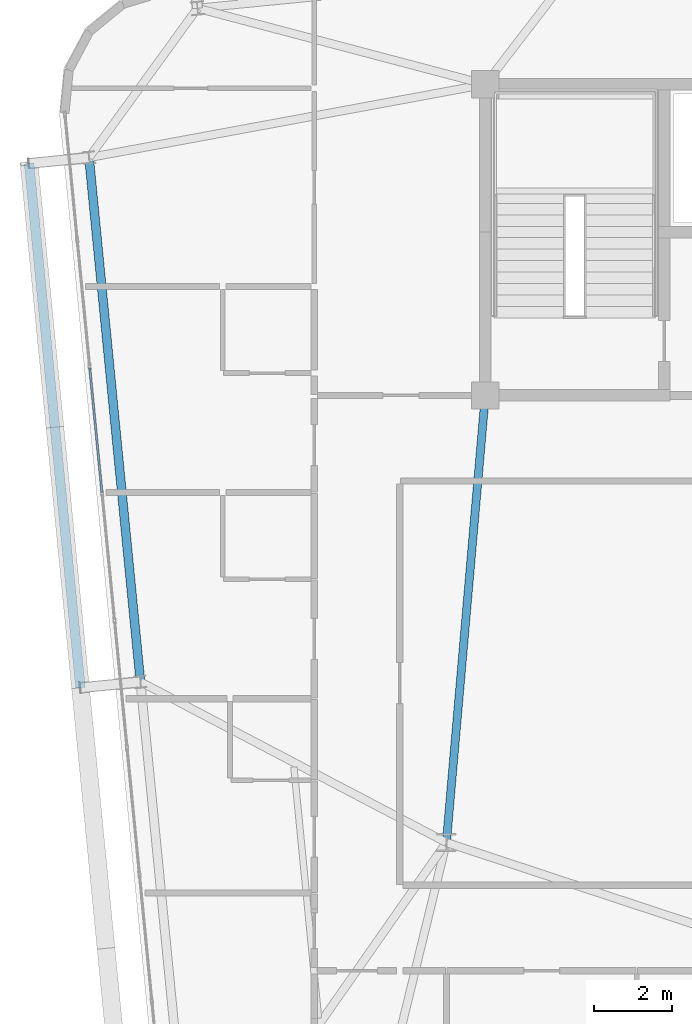
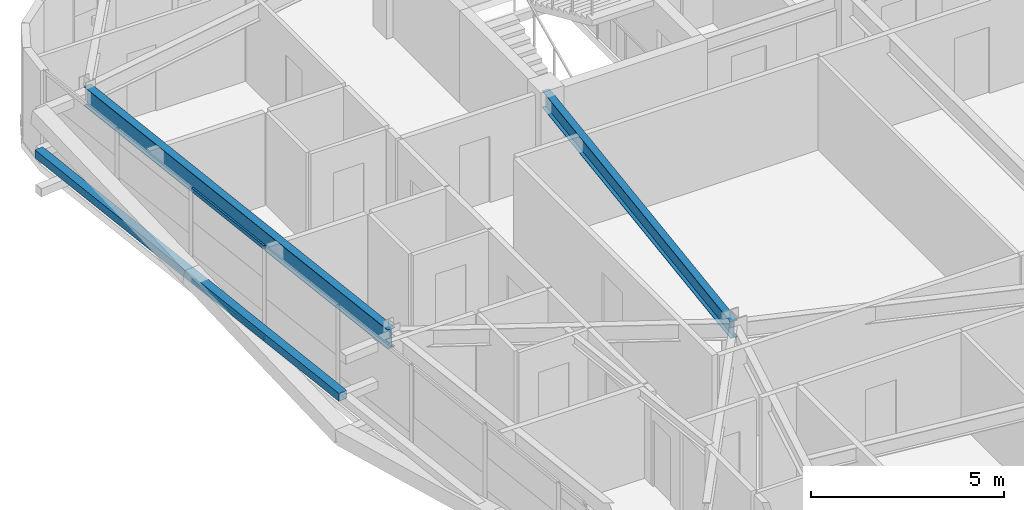
# One storey, part 14 of 53: 3 members, 2 beams, 1 element without a shape of its own.
"""IFC4 building model written with IfcOpenShell, lengths in metres."""

from ifc_helpers import new_model, si_unit, direction, frame, origin, origin_2d, place, context, subcontext, project, spatial, hollow_rectangle, i_section, extrude, source, transform, mapped, material, layer, layer_set, material_profile, profile_set, type_object, element, aggregate, save


model = new_model("IFC4")

# Units and contexts
model_context = context("Model", 3, precision=1e-05, world=origin(), true_north=direction((0.0, 1.0)))
body_context = subcontext(model_context, "Body", "Model", "MODEL_VIEW")
ifc_project = project(units=[si_unit("LENGTHUNIT", "METRE"), si_unit("AREAUNIT", "SQUARE_METRE"), si_unit("VOLUMEUNIT", "CUBIC_METRE"), si_unit("PLANEANGLEUNIT", "RADIAN"), si_unit("MASSUNIT", "GRAM", prefix="KILO")], contexts=[model_context])

# Site, building, storey
site_placement = place(None, origin())
site = spatial("IfcSite", under=ifc_project, at=site_placement, CompositionType="ELEMENT")
building_placement = place(site_placement, origin())
building = spatial("IfcBuilding", under=site, at=building_placement, Name="Taldren Reach Tower", CompositionType="ELEMENT")
storey_placement = place(building_placement, frame((0.0, 0.0, 71.39990234375)))
storey = spatial("IfcBuildingStorey", under=building, at=storey_placement, Name="L21", CompositionType="ELEMENT", Elevation=71.39990234375)

# Beams
ifc_material_1 = material(Name="Steel Gr 350 (350PLUS)", Category="steel")
ifc_material_profile_1 = material_profile(ifc_material_1, i_section(OverallWidth=0.208984375, OverallDepth=0.532958984375, WebThickness=0.01025390625, FlangeThickness=0.015625, at=origin_2d()), Name="530UB92.4")
ifc_profile_set_1 = profile_set([ifc_material_profile_1], Name="Steel Gr 350 (350PLUS)")
beam_type_1 = type_object("IfcBeamType", Name="BM-UB530A", PredefinedType="BEAM", material=ifc_profile_set_1)
shared_shape_1 = source(origin(), body_context, "Body", "SweptSolid", [
    extrude(i_section(OverallWidth=0.208984375, OverallDepth=0.532958984375, WebThickness=0.01025390625, FlangeThickness=0.015625, at=origin_2d()), origin(), (0.0, 0.0, 1.0), 11.54345703125),
])
beam_1_placement = place(storey_placement, frame((19.0, 24.0, 2.66357421875), z_axis=(-0.086629616365, -0.996240588196, 0.0), x_axis=(0.996240588196, -0.086629616365, 0.0)))
element("IfcBeam", 1, at=beam_1_placement, inside=storey, type_object=beam_type_1, Name="Core-spine girder L21-SP09", PredefinedType="BEAM", context=body_context, shape_type="MappedRepresentation", body=[
    mapped(shared_shape_1, transform((0.0, 0.0, 0.0), scale=1.0)),
])
ifc_material_profile_2 = material_profile(ifc_material_1, i_section(OverallWidth=0.22802734375, OverallDepth=0.60205078125, WebThickness=0.010498046875, FlangeThickness=0.014892578125, at=origin_2d()), Name="610UB101")
ifc_profile_set_2 = profile_set([ifc_material_profile_2], Name="Steel Gr 350 (350PLUS)")
beam_type_2 = type_object("IfcBeamType", Name="BM-UB610B", PredefinedType="BEAM", material=ifc_profile_set_2)
shared_shape_2 = source(origin(), body_context, "Body", "SweptSolid", [
    extrude(i_section(OverallWidth=0.22802734375, OverallDepth=0.60205078125, WebThickness=0.010498046875, FlangeThickness=0.014892578125, at=origin_2d()), origin(), (0.0, 0.0, 1.0), 13.550048828125),
])
beam_2_placement = place(storey_placement, frame((8.808349609375, 30.116455078125, 2.629150390625), z_axis=(0.097584021339, -0.995227290009, 0.0), x_axis=(0.995227290009, 0.097584021339, 0.0)))
element("IfcBeam", 2, at=beam_2_placement, inside=storey, type_object=beam_type_2, Name="Perimeter gable girder B2 W3-W2 L21", PredefinedType="BEAM", context=body_context, shape_type="MappedRepresentation", body=[
    mapped(shared_shape_2, transform((0.0, 0.0, 0.0), scale=1.0)),
])

# Member
ifc_material_2 = material(Name="Steel Gr 350 (C350L0)", Category="steel")
ifc_material_profile_3 = material_profile(ifc_material_2, hollow_rectangle(XDim=0.25, YDim=0.25, WallThickness=0.010009765625, at=origin_2d()), Name="250x250x10.0SHS")
ifc_profile_set_3 = profile_set([ifc_material_profile_3], Name="Steel Gr 350 (C350L0)")
member_type_1 = type_object("IfcMemberType", Name="MB-POST250", PredefinedType="POST", material=ifc_profile_set_3)
shared_shape_3 = source(origin(), body_context, "Body", "SweptSolid", [
    extrude(hollow_rectangle(XDim=0.25, YDim=0.25, WallThickness=0.010009765625, at=origin_2d()), origin(), (0.0, 0.0, 1.0), 13.550048828125),
])
member_1_placement = place(storey_placement, frame((8.587890625, 16.479736328125, 1.43505859375), z_axis=(-0.097584021339, 0.995227290009, 0.0), x_axis=(-0.995227290009, -0.097584021339, 0.0)))
element("IfcMember", 3, at=member_1_placement, inside=storey, type_object=member_type_1, Name="Exoskeleton mid-height ring chord B2-W2 L21", PredefinedType="POST", context=body_context, shape_type="MappedRepresentation", body=[
    mapped(shared_shape_3, transform((0.0, 0.0, 0.0), scale=1.0)),
])

# Curtain wall, members
ifc_material_3 = material(Name="Aluminium and Low-E Glass Unitised System", Category="aluminium")
ifc_layer = layer(ifc_material_3, 0.159912109375)
ifc_layer_set = layer_set([ifc_layer], Name="Aluminium and Low-E Glass Unitised System")
curtain_wall_type = type_object("IfcCurtainWallType", Name="CW-SYS-3", PredefinedType="NOTDEFINED", material=ifc_layer_set)
curtain_wall_placement = place(storey_placement, origin())
curtain_wall = element("IfcCurtainWall", 4, at=curtain_wall_placement, inside=storey, type_object=curtain_wall_type, Name="Unitised curtain wall CW-L21-W", PredefinedType="NOTDEFINED")
ifc_material_4 = material(Name="Anodised Aluminium 6063-T6", Category="aluminium")
ifc_material_profile_4 = material_profile(ifc_material_4, hollow_rectangle(XDim=0.054931640625, YDim=0.1201171875, WallThickness=0.0029296875, at=origin_2d()), Name="ALU-120x55x3RHS")
ifc_profile_set_4 = profile_set([ifc_material_profile_4], Name="Anodised Aluminium 6063-T6")
member_type_2 = type_object("IfcMemberType", Name="CW-TRN-135", PredefinedType="USERDEFINED", material=ifc_profile_set_4)
shared_shape_4 = source(origin(), body_context, "Body", "SweptSolid", [
    extrude(hollow_rectangle(XDim=0.054931640625, YDim=0.1201171875, WallThickness=0.0029296875, at=origin_2d()), origin(), (0.0, 0.0, 1.0), 3.212890625),
])
member_2_placement = place(storey_placement, frame((8.826416015625, 24.704345703125, 0.027587890625), z_axis=(0.097569948235, -0.995228669805, 0.0), x_axis=(0.995228669805, 0.097569948235, 0.0)))
member_2 = element("IfcMember", 5, at=member_2_placement, type_object=member_type_2, Name="CW-3 transom 3.1", ObjectType="TRANSOM", PredefinedType="USERDEFINED", context=body_context, shape_type="MappedRepresentation", body=[
    mapped(shared_shape_4, transform((0.0, 0.0, 0.0), scale=1.0)),
])
member_3_placement = place(storey_placement, frame((8.826416015625, 24.704345703125, 2.902587890625), z_axis=(0.097569948235, -0.995228669805, 0.0), x_axis=(0.995228669805, 0.097569948235, 0.0)))
member_3 = element("IfcMember", 6, at=member_3_placement, type_object=member_type_2, Name="CW-3 transom 3.2", ObjectType="TRANSOM", PredefinedType="USERDEFINED", context=body_context, shape_type="MappedRepresentation", body=[
    mapped(shared_shape_4, transform((0.0, 0.0, 0.0), scale=1.0)),
])
aggregate(curtain_wall, [member_2, member_3])

save(model, "model.ifc")
